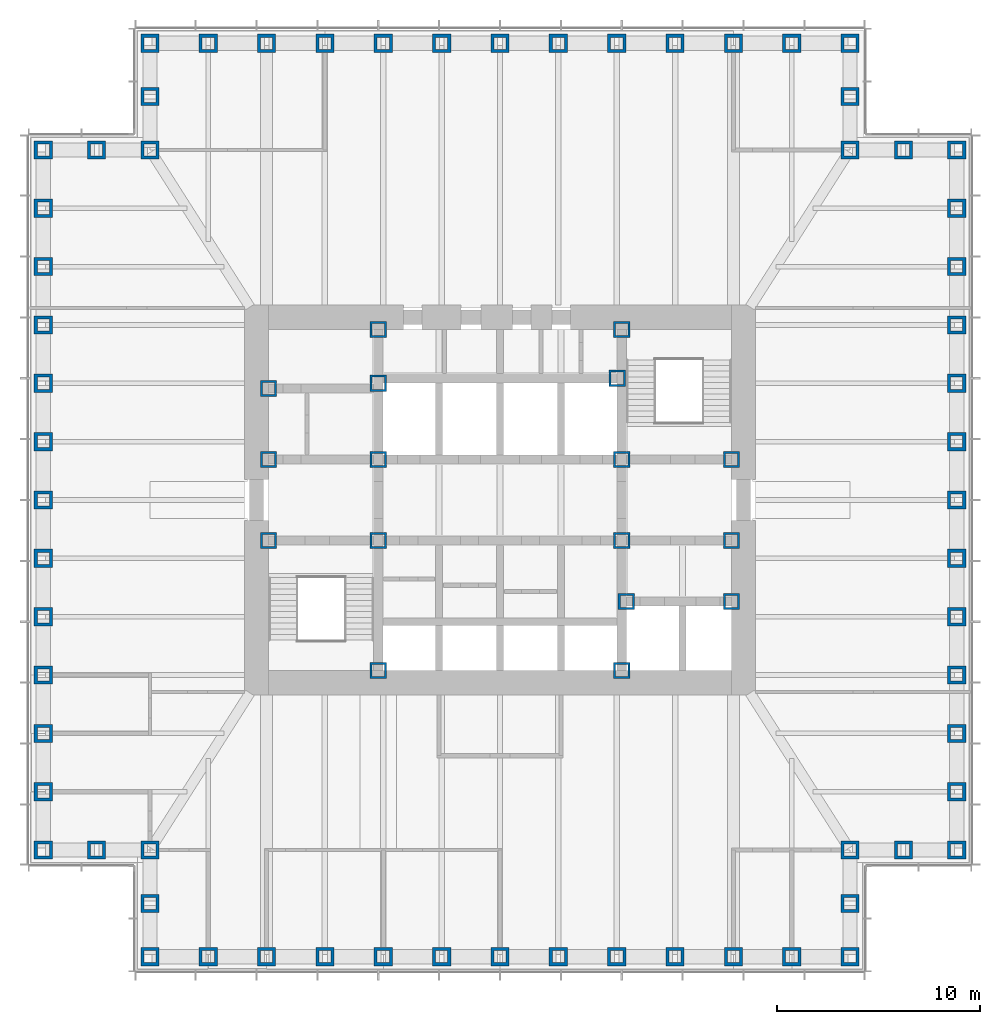
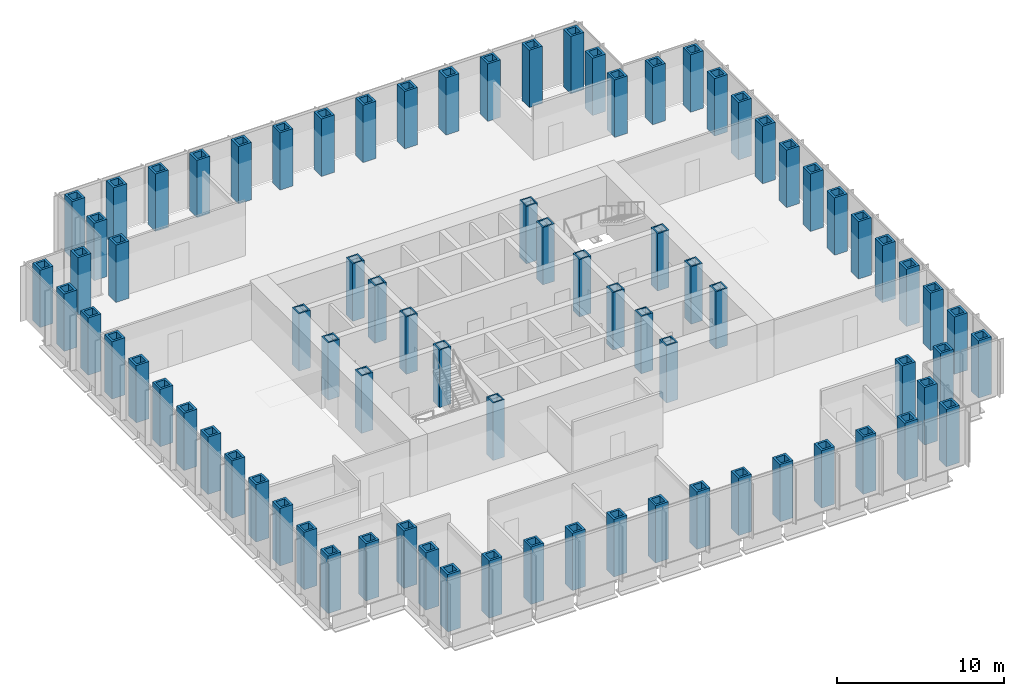
# One storey, part 1 of 16: 81 columns.
"""IFC4 building model written with IfcOpenShell, lengths in metres."""

from ifc_helpers import new_model, si_unit, direction, frame, origin, origin_2d, place, context, subcontext, project, spatial, hollow_rectangle, extrude, material, material_profile, profile_set, type_object, element, save


model = new_model("IFC4")

# Units and contexts
model_context = context("Model", 3, precision=1e-05, world=origin(), true_north=direction((0.0, 1.0)))
body_context = subcontext(model_context, "Body", "Model", "MODEL_VIEW")
ifc_project = project(units=[si_unit("LENGTHUNIT", "METRE"), si_unit("AREAUNIT", "SQUARE_METRE"), si_unit("VOLUMEUNIT", "CUBIC_METRE"), si_unit("PLANEANGLEUNIT", "RADIAN"), si_unit("MASSUNIT", "GRAM", prefix="KILO")], contexts=[model_context])

# Site, building, storey
site_placement = place(None, origin())
site = spatial("IfcSite", under=ifc_project, at=site_placement, CompositionType="ELEMENT")
building_placement = place(site_placement, origin())
building = spatial("IfcBuilding", under=site, at=building_placement, Name="Daluyong Arena Tower", CompositionType="ELEMENT")
storey_placement = place(building_placement, frame((0.0, 0.0, 116.5)))
storey = spatial("IfcBuildingStorey", under=building, at=storey_placement, Name="L25", CompositionType="ELEMENT", Elevation=116.5)

# Columns
ifc_material_1 = material(Name="Steel ASTM A572 Grade 50", Category="steel")
ifc_material_profile_1 = material_profile(ifc_material_1, hollow_rectangle(XDim=0.800048828125, YDim=0.800048828125, WallThickness=0.1, at=origin_2d()))
ifc_profile_set_1 = profile_set([ifc_material_profile_1], Name="Steel ASTM A572 Grade 50")
column_type_1 = type_object("IfcColumnType", Name="Core boundary column BX800X100", PredefinedType="COLUMN", material=ifc_profile_set_1)
for number, where, z_axis, x_axis, name in (
    (1, (44.60009765625, 78.0, 0.0), (0.0, 0.0, 1.0), (1.0, 0.0, 0.0), "core boundary column BC2"),
    (2, (44.60009765625, 82.0, 0.0), (0.0, 0.0, 1.0), (1.0, 0.0, 0.0), "core boundary column BC2"),
    (3, (44.60009765625, 85.5, 0.0), (0.0, 0.0, 1.0), (1.0, 0.0, 0.0), "core boundary column BC2"),
    (4, (50.0, 71.60009765625, 0.0), (0.0, 0.0, 1.0), (1.0, 0.0, 0.0), "core boundary column BC2"),
    (5, (50.0, 78.0, 0.0), (0.0, 0.0, 1.0), (1.0, 0.0, 0.0), "core boundary column BC2"),
    (6, (50.0, 82.0, 0.0), (0.0, 0.0, 1.0), (1.0, 0.0, 0.0), "core boundary column BC2"),
    (7, (50.0, 85.75, 0.0), (0.0, 0.0, 1.0), (1.0, 0.0, 0.0), "core boundary column BC2"),
    (8, (50.0, 88.39990234375, 0.0), (0.0, 0.0, 1.0), (1.0, 0.0, 0.0), "core boundary column BC2"),
    (9, (61.77490234375, 86.0, 0.0), (0.0, 0.0, 1.0), (1.0, 0.0, 0.0), "core boundary column BC2"),
    (10, (62.0, 71.60009765625, 0.0), (0.0, 0.0, 1.0), (1.0, 0.0, 0.0), "core boundary column BC2"),
    (11, (62.0, 78.0, 0.0), (0.0, 0.0, 1.0), (1.0, 0.0, 0.0), "core boundary column BC2"),
    (12, (62.0, 82.0, 0.0), (0.0, 0.0, 1.0), (1.0, 0.0, 0.0), "core boundary column BC2"),
    (13, (62.0, 88.39990234375, 0.0), (0.0, 0.0, 1.0), (1.0, 0.0, 0.0), "core boundary column BC2"),
    (14, (62.22509765625, 75.0, 0.0), (0.0, 0.0, 1.0), (1.0, 0.0, 0.0), "core boundary column BC2"),
    (15, (67.39990234375, 75.0, 0.0), (0.0, 0.0, 1.0), (1.0, 0.0, 0.0), "core boundary column BC2"),
    (16, (67.39990234375, 78.0, 0.0), (0.0, 0.0, 1.0), (1.0, 0.0, 0.0), "core boundary column BC2"),
    (17, (67.39990234375, 82.0, 0.0), (0.0, 0.0, 1.0), (1.0, 0.0, 0.0), "core boundary column BC2"),
):
    element("IfcColumn", number, at=place(storey_placement, frame(where, z_axis=z_axis, x_axis=x_axis)), inside=storey, type_object=column_type_1, Name=name, PredefinedType="COLUMN", context=body_context, shape_type="SweptSolid", body=[
        extrude(hollow_rectangle(XDim=0.800048828125, YDim=0.800048828125, WallThickness=0.1, at=origin_2d()), origin(), (0.0, 0.0, 1.0), 4.199951171875),
    ])
ifc_material_2 = material(Name="Steel ASTM A588 Grade 50", Category="steel")
ifc_material_profile_2 = material_profile(ifc_material_2, hollow_rectangle(XDim=0.89990234375, YDim=0.89990234375, WallThickness=0.15, at=origin_2d()))
ifc_profile_set_2 = profile_set([ifc_material_profile_2], Name="Steel ASTM A588 Grade 50")
column_type_2 = type_object("IfcColumnType", Name="Tube column BX900X150 BX900X150", PredefinedType="COLUMN", material=ifc_profile_set_2)
for number, where, z_axis, x_axis, name in (
    (18, (38.75, 57.5, 0.0), (0.0, 0.0, 1.0), (1.0, 0.0, 0.0), "tube column bx900x150 TC5"),
    (19, (41.625, 57.5, 0.0), (0.0, 0.0, 1.0), (1.0, 0.0, 0.0), "tube column bx900x150 TC5"),
    (20, (44.5, 57.5, 0.0), (0.0, 0.0, 1.0), (1.0, 0.0, 0.0), "tube column bx900x150 TC5"),
    (21, (47.375, 57.5, 0.0), (0.0, 0.0, 1.0), (1.0, 0.0, 0.0), "tube column bx900x150 TC5"),
    (22, (50.25, 57.5, 0.0), (0.0, 0.0, 1.0), (1.0, 0.0, 0.0), "tube column bx900x150 TC5"),
    (23, (53.125, 57.5, 0.0), (0.0, 0.0, 1.0), (1.0, 0.0, 0.0), "tube column bx900x150 TC5"),
    (24, (56.0, 57.5, 0.0), (0.0, 0.0, 1.0), (1.0, 0.0, 0.0), "tube column bx900x150 TC5"),
    (25, (58.875, 57.5, 0.0), (0.0, 0.0, 1.0), (1.0, 0.0, 0.0), "tube column bx900x150 TC5"),
    (26, (61.75, 57.5, 0.0), (0.0, 0.0, 1.0), (1.0, 0.0, 0.0), "tube column bx900x150 TC5"),
    (27, (64.625, 57.5, 0.0), (0.0, 0.0, 1.0), (1.0, 0.0, 0.0), "tube column bx900x150 TC5"),
    (28, (67.5, 57.5, 0.0), (0.0, 0.0, 1.0), (1.0, 0.0, 0.0), "tube column bx900x150 TC5"),
    (29, (70.375, 57.5, 0.0), (0.0, 0.0, 1.0), (1.0, 0.0, 0.0), "tube column bx900x150 TC5"),
    (30, (73.25, 57.5, 0.0), (0.0, 0.0, 1.0), (0.0, 1.0, 0.0), "tube column bx900x150 TC5"),
    (31, (73.25, 60.125, 0.0), (0.0, 0.0, 1.0), (0.0, 1.0, 0.0), "tube column bx900x150 TC5"),
    (32, (73.25, 62.75, 0.0), (0.0, 0.0, 1.0), (1.0, 0.0, 0.0), "tube column bx900x150 TC5"),
    (33, (75.875, 62.75, 0.0), (0.0, 0.0, 1.0), (1.0, 0.0, 0.0), "tube column bx900x150 TC5"),
    (34, (78.5, 62.75, 0.0), (0.0, 0.0, 1.0), (0.0, 1.0, 0.0), "tube column bx900x150 TC5"),
    (35, (78.5, 65.625, 0.0), (0.0, 0.0, 1.0), (0.0, 1.0, 0.0), "tube column bx900x150 TC5"),
    (36, (78.5, 68.5, 0.0), (0.0, 0.0, 1.0), (0.0, 1.0, 0.0), "tube column bx900x150 TC5"),
    (37, (78.5, 71.375, 0.0), (0.0, 0.0, 1.0), (0.0, 1.0, 0.0), "tube column bx900x150 TC5"),
    (38, (78.5, 74.25, 0.0), (0.0, 0.0, 1.0), (0.0, 1.0, 0.0), "tube column bx900x150 TC5"),
    (39, (78.5, 77.125, 0.0), (0.0, 0.0, 1.0), (0.0, 1.0, 0.0), "tube column bx900x150 TC5"),
    (40, (78.5, 80.0, 0.0), (0.0, 0.0, 1.0), (0.0, 1.0, 0.0), "tube column bx900x150 TC5"),
    (41, (78.5, 82.875, 0.0), (0.0, 0.0, 1.0), (0.0, 1.0, 0.0), "tube column bx900x150 TC5"),
    (42, (78.5, 85.75, 0.0), (0.0, 0.0, 1.0), (0.0, 1.0, 0.0), "tube column bx900x150 TC5"),
    (43, (78.5, 88.625, 0.0), (0.0, 0.0, 1.0), (0.0, 1.0, 0.0), "tube column bx900x150 TC5"),
    (44, (78.5, 91.5, 0.0), (0.0, 0.0, 1.0), (0.0, 1.0, 0.0), "tube column bx900x150 TC5"),
    (45, (78.5, 94.375, 0.0), (0.0, 0.0, 1.0), (0.0, 1.0, 0.0), "tube column bx900x150 TC5"),
    (46, (78.5, 97.25, 0.0), (0.0, 0.0, 1.0), (1.0, 0.0, 0.0), "tube column bx900x150 TC5"),
    (47, (75.875, 97.25, 0.0), (0.0, 0.0, 1.0), (1.0, 0.0, 0.0), "tube column bx900x150 TC5"),
    (48, (73.25, 97.25, 0.0), (0.0, 0.0, 1.0), (0.0, 1.0, 0.0), "tube column bx900x150 TC5"),
    (49, (73.25, 99.875, 0.0), (0.0, 0.0, 1.0), (0.0, 1.0, 0.0), "tube column bx900x150 TC5"),
    (50, (73.25, 102.5, 0.0), (0.0, 0.0, 1.0), (1.0, 0.0, 0.0), "tube column bx900x150 TC5"),
    (51, (70.375, 102.5, 0.0), (0.0, 0.0, 1.0), (1.0, 0.0, 0.0), "tube column bx900x150 TC5"),
    (52, (67.5, 102.5, 0.0), (0.0, 0.0, 1.0), (1.0, 0.0, 0.0), "tube column bx900x150 TC5"),
    (53, (64.625, 102.5, 0.0), (0.0, 0.0, 1.0), (1.0, 0.0, 0.0), "tube column bx900x150 TC5"),
    (54, (61.75, 102.5, 0.0), (0.0, 0.0, 1.0), (1.0, 0.0, 0.0), "tube column bx900x150 TC5"),
    (55, (58.875, 102.5, 0.0), (0.0, 0.0, 1.0), (1.0, 0.0, 0.0), "tube column bx900x150 TC5"),
    (56, (56.0, 102.5, 0.0), (0.0, 0.0, 1.0), (1.0, 0.0, 0.0), "tube column bx900x150 TC5"),
    (57, (53.125, 102.5, 0.0), (0.0, 0.0, 1.0), (1.0, 0.0, 0.0), "tube column bx900x150 TC5"),
    (58, (50.25, 102.5, 0.0), (0.0, 0.0, 1.0), (1.0, 0.0, 0.0), "tube column bx900x150 TC5"),
    (59, (47.375, 102.5, 0.0), (0.0, 0.0, 1.0), (1.0, 0.0, 0.0), "tube column bx900x150 TC5"),
    (60, (44.5, 102.5, 0.0), (0.0, 0.0, 1.0), (1.0, 0.0, 0.0), "tube column bx900x150 TC5"),
    (61, (41.625, 102.5, 0.0), (0.0, 0.0, 1.0), (1.0, 0.0, 0.0), "tube column bx900x150 TC5"),
    (62, (38.75, 102.5, 0.0), (0.0, 0.0, 1.0), (0.0, 1.0, 0.0), "tube column bx900x150 TC5"),
    (63, (38.75, 99.875, 0.0), (0.0, 0.0, 1.0), (0.0, 1.0, 0.0), "tube column bx900x150 TC5"),
    (64, (38.75, 97.25, 0.0), (0.0, 0.0, 1.0), (1.0, 0.0, 0.0), "tube column bx900x150 TC5"),
    (65, (36.125, 97.25, 0.0), (0.0, 0.0, 1.0), (1.0, 0.0, 0.0), "tube column bx900x150 TC5"),
    (66, (33.5, 97.25, 0.0), (0.0, 0.0, 1.0), (0.0, 1.0, 0.0), "tube column bx900x150 TC5"),
    (67, (33.5, 94.375, 0.0), (0.0, 0.0, 1.0), (0.0, 1.0, 0.0), "tube column bx900x150 TC5"),
    (68, (33.5, 91.5, 0.0), (0.0, 0.0, 1.0), (0.0, 1.0, 0.0), "tube column bx900x150 TC5"),
    (69, (33.5, 88.625, 0.0), (0.0, 0.0, 1.0), (0.0, 1.0, 0.0), "tube column bx900x150 TC5"),
    (70, (33.5, 85.75, 0.0), (0.0, 0.0, 1.0), (0.0, 1.0, 0.0), "tube column bx900x150 TC5"),
    (71, (33.5, 82.875, 0.0), (0.0, 0.0, 1.0), (0.0, 1.0, 0.0), "tube column bx900x150 TC5"),
    (72, (33.5, 80.0, 0.0), (0.0, 0.0, 1.0), (0.0, 1.0, 0.0), "tube column bx900x150 TC5"),
    (73, (33.5, 77.125, 0.0), (0.0, 0.0, 1.0), (0.0, 1.0, 0.0), "tube column bx900x150 TC5"),
    (74, (33.5, 74.25, 0.0), (0.0, 0.0, 1.0), (0.0, 1.0, 0.0), "tube column bx900x150 TC5"),
    (75, (33.5, 71.375, 0.0), (0.0, 0.0, 1.0), (0.0, 1.0, 0.0), "tube column bx900x150 TC5"),
    (76, (33.5, 68.5, 0.0), (0.0, 0.0, 1.0), (0.0, 1.0, 0.0), "tube column bx900x150 TC5"),
    (77, (33.5, 65.625, 0.0), (0.0, 0.0, 1.0), (0.0, 1.0, 0.0), "tube column bx900x150 TC5"),
    (78, (33.5, 62.75, 0.0), (0.0, 0.0, 1.0), (1.0, 0.0, 0.0), "tube column bx900x150 TC5"),
    (79, (36.125, 62.75, 0.0), (0.0, 0.0, 1.0), (1.0, 0.0, 0.0), "tube column bx900x150 TC5"),
    (80, (38.75, 62.75, 0.0), (0.0, 0.0, 1.0), (0.0, 1.0, 0.0), "tube column bx900x150 TC5"),
    (81, (38.75, 60.125, 0.0), (0.0, 0.0, 1.0), (0.0, 1.0, 0.0), "tube column bx900x150 TC5"),
):
    element("IfcColumn", number, at=place(storey_placement, frame(where, z_axis=z_axis, x_axis=x_axis)), inside=storey, type_object=column_type_2, Name=name, PredefinedType="COLUMN", context=body_context, shape_type="SweptSolid", body=[
        extrude(hollow_rectangle(XDim=0.89990234375, YDim=0.89990234375, WallThickness=0.15, at=origin_2d()), origin(), (0.0, 0.0, 1.0), 4.199951171875),
    ])

save(model, "model.ifc")
